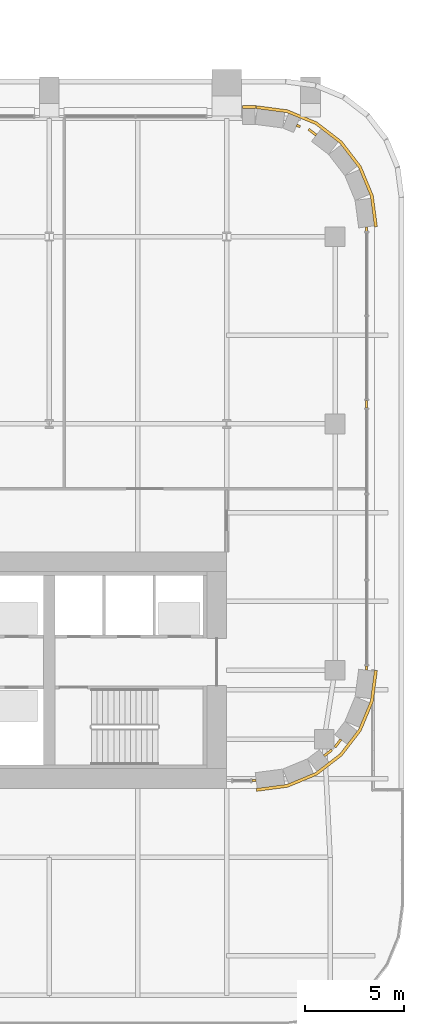
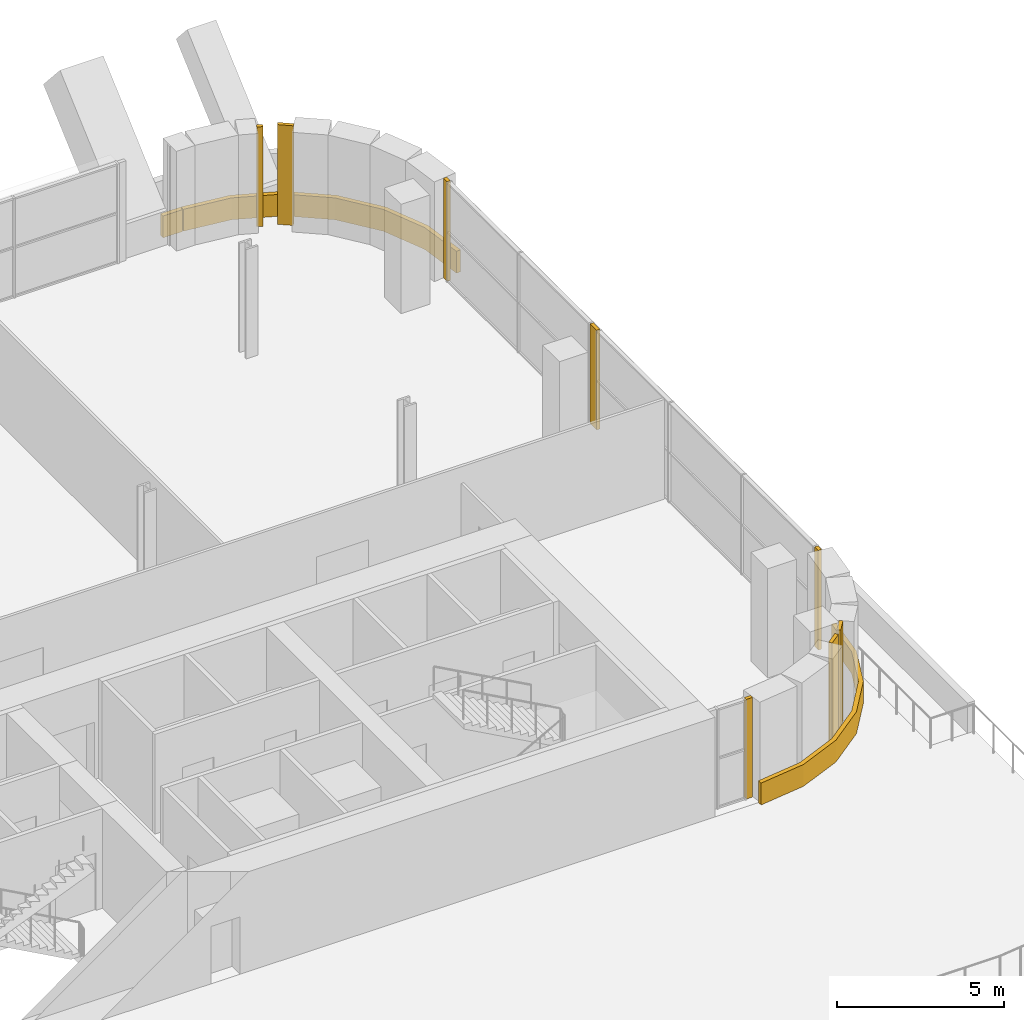
# One storey, part 25 of 26: 11 coverings.
"""IFC4 building model written with IfcOpenShell, lengths in metres."""

from ifc_helpers import new_model, si_unit, direction, frame, origin, origin_2d, place, context, subcontext, project, spatial, polyline, rectangle, outline, extrude, material, layer, layer_set, type_object, element, save


model = new_model("IFC4")

# Units and contexts
model_context = context("Model", 3, precision=1e-05, world=origin(), true_north=direction((0.0, 1.0)))
body_context = subcontext(model_context, "Body", "Model", "MODEL_VIEW")
ifc_project = project(units=[si_unit("LENGTHUNIT", "METRE"), si_unit("AREAUNIT", "SQUARE_METRE"), si_unit("VOLUMEUNIT", "CUBIC_METRE"), si_unit("PLANEANGLEUNIT", "RADIAN"), si_unit("MASSUNIT", "GRAM", prefix="KILO")], contexts=[model_context])

# Site, building, storey
site_placement = place(None, origin())
site = spatial("IfcSite", under=ifc_project, at=site_placement, CompositionType="ELEMENT")
building_placement = place(site_placement, origin())
building = spatial("IfcBuilding", under=site, at=building_placement, Name="Zellij Exchange Tower", CompositionType="ELEMENT")
storey_placement = place(building_placement, frame((0.0, 0.0, 156.5)))
storey = spatial("IfcBuildingStorey", under=building, at=storey_placement, Name="L35", CompositionType="ELEMENT", Elevation=156.5)

# Coverings
ifc_material = material(Name="Limestone cladding", Category="masonry")
ifc_layer_1 = layer(ifc_material, 0.14990234375)
ifc_layer_set_1 = layer_set([ifc_layer_1], Name="Limestone cladding")
covering_type_1 = type_object("IfcCoveringType", Name="ENV-CV1 Stone spandrel band 150", PredefinedType="CLADDING", material=ifc_layer_set_1)
covering_1_placement = place(storey_placement, origin())
element("IfcCovering", 1, at=covering_1_placement, inside=storey, type_object=covering_type_1, Name="Stone spandrel band", PredefinedType="CLADDING", context=body_context, shape_type="SweptSolid", body=[
    extrude(outline(polyline([(28.473876953125, 20.5), (27.800048828125, 20.5), (27.800048828125, 20.64990234375), (28.483642578125, 20.64990234375), (28.473876953125, 20.5)])), origin(), (0.0, 0.0, 1.0), 0.800048828125),
])
covering_2_placement = place(storey_placement, origin())
element("IfcCovering", 2, at=covering_2_placement, inside=storey, type_object=covering_type_1, Name="Stone spandrel band", PredefinedType="CLADDING", context=body_context, shape_type="SweptSolid", body=[
    extrude(outline(polyline([(28.5, -14.0), (30.052978515625, -13.795654296875), (31.5, -13.1962890625), (32.74267578125, -12.24267578125), (33.6962890625, -11.0), (34.295654296875, -9.552978515625), (34.5, -8.0), (34.64990234375, -8.009765625), (34.441650390625, -9.592041015625), (33.8271484375, -11.07568359375), (32.849609375, -12.349609375), (31.57568359375, -13.3271484375), (30.092041015625, -13.941650390625), (28.509765625, -14.14990234375), (28.5, -14.0)])), origin(), (0.0, 0.0, 1.0), 0.800048828125),
])
covering_3_placement = place(storey_placement, origin())
element("IfcCovering", 3, at=covering_3_placement, inside=storey, type_object=covering_type_1, Name="Stone spandrel band", PredefinedType="CLADDING", context=body_context, shape_type="SweptSolid", body=[
    extrude(outline(polyline([(34.5, 14.5), (34.295654296875, 16.052978515625), (33.6962890625, 17.5), (32.74267578125, 18.74267578125), (31.5, 19.6962890625), (30.052978515625, 20.295654296875), (28.5, 20.5), (28.509765625, 20.64990234375), (30.092041015625, 20.441650390625), (31.57568359375, 19.8271484375), (32.849609375, 18.849609375), (33.8271484375, 17.57568359375), (34.441650390625, 16.092041015625), (34.64990234375, 14.509765625), (34.5, 14.5)])), origin(), (0.0, 0.0, 1.0), 0.800048828125),
])
ifc_layer_2 = layer(ifc_material, 0.1201171875)
ifc_layer_set_2 = layer_set([ifc_layer_2], Name="Limestone cladding")
covering_type_2 = type_object("IfcCoveringType", Name="ENV-CV18 Glazing closer 120", PredefinedType="CLADDING", material=ifc_layer_set_2)
for number, where, z_axis, x_axis, name in (
    (4, (32.647705078125, -11.709228515625, 0.0), (0.0, 0.0, 1.0), (-0.608809891071, -0.793316151692, 0.0), "Glazing closer"),
    (5, (32.14404296875, -12.19775390625, 0.0), (0.0, 0.0, 1.0), (0.793316151692, 0.608809891071, 0.0), "Glazing closer"),
):
    element("IfcCovering", number, at=place(storey_placement, frame(where, z_axis=z_axis, x_axis=x_axis)), inside=storey, type_object=covering_type_2, Name=name, PredefinedType="CLADDING", context=body_context, shape_type="SweptSolid", body=[
        extrude(rectangle(XDim=0.492919921875, YDim=0.1201171875, at=origin_2d()), origin(), (0.0, 0.0, 1.0), 3.64990234375),
    ])
covering_4_placement = place(storey_placement, frame((31.3544921875, 19.3037109375, 0.0), z_axis=(0.0, 0.0, 1.0), x_axis=(-0.793316151692, 0.608809891071, 0.0)))
element("IfcCovering", 6, at=covering_4_placement, inside=storey, type_object=covering_type_2, Name="Glazing closer", PredefinedType="CLADDING", context=body_context, shape_type="SweptSolid", body=[
    extrude(rectangle(XDim=0.488525390625, YDim=0.1201171875, at=origin_2d()), origin(), (0.0, 0.0, 1.0), 3.64990234375),
])
covering_5_placement = place(storey_placement, frame((34.10009765625, 5.49462890625, 0.0), z_axis=(0.0, 0.0, 1.0), x_axis=(0.0, 1.0, 0.0)))
element("IfcCovering", 7, at=covering_5_placement, inside=storey, type_object=covering_type_2, Name="Glazing closer", PredefinedType="CLADDING", context=body_context, shape_type="SweptSolid", body=[
    extrude(rectangle(XDim=0.39990234375, YDim=0.1201171875, at=origin_2d()), origin(), (0.0, 0.0, 1.0), 3.64990234375),
])
for number, where, z_axis, x_axis, name in (
    (8, (34.10009765625, -7.883056640625, 0.0), (0.0, 0.0, 1.0), (0.0, -1.0, 0.0), "Glazing closer"),
    (9, (34.10009765625, 14.383056640625, 0.0), (0.0, 0.0, 1.0), (0.0, 1.0, 0.0), "Glazing closer"),
    (10, (28.383056640625, -13.60009765625, 0.0), (0.0, 0.0, 1.0), (1.0, 0.0, 0.0), "Glazing closer"),
):
    element("IfcCovering", number, at=place(storey_placement, frame(where, z_axis=z_axis, x_axis=x_axis)), inside=storey, type_object=covering_type_2, Name=name, PredefinedType="CLADDING", context=body_context, shape_type="SweptSolid", body=[
        extrude(rectangle(XDim=0.218505859375, YDim=0.1201171875, at=origin_2d()), origin(), (0.0, 0.0, 1.0), 3.64990234375),
    ])
covering_6_placement = place(storey_placement, frame((30.638916015625, 19.619873046875, 0.0), z_axis=(0.0, 0.0, 1.0), x_axis=(0.923881536224, -0.382678594938, 0.0)))
element("IfcCovering", 11, at=covering_6_placement, inside=storey, type_object=covering_type_2, Name="Glazing closer", PredefinedType="CLADDING", context=body_context, shape_type="SweptSolid", body=[
    extrude(rectangle(XDim=0.19091796875, YDim=0.1201171875, at=origin_2d()), origin(), (0.0, 0.0, 1.0), 3.64990234375),
])

save(model, "model.ifc")
